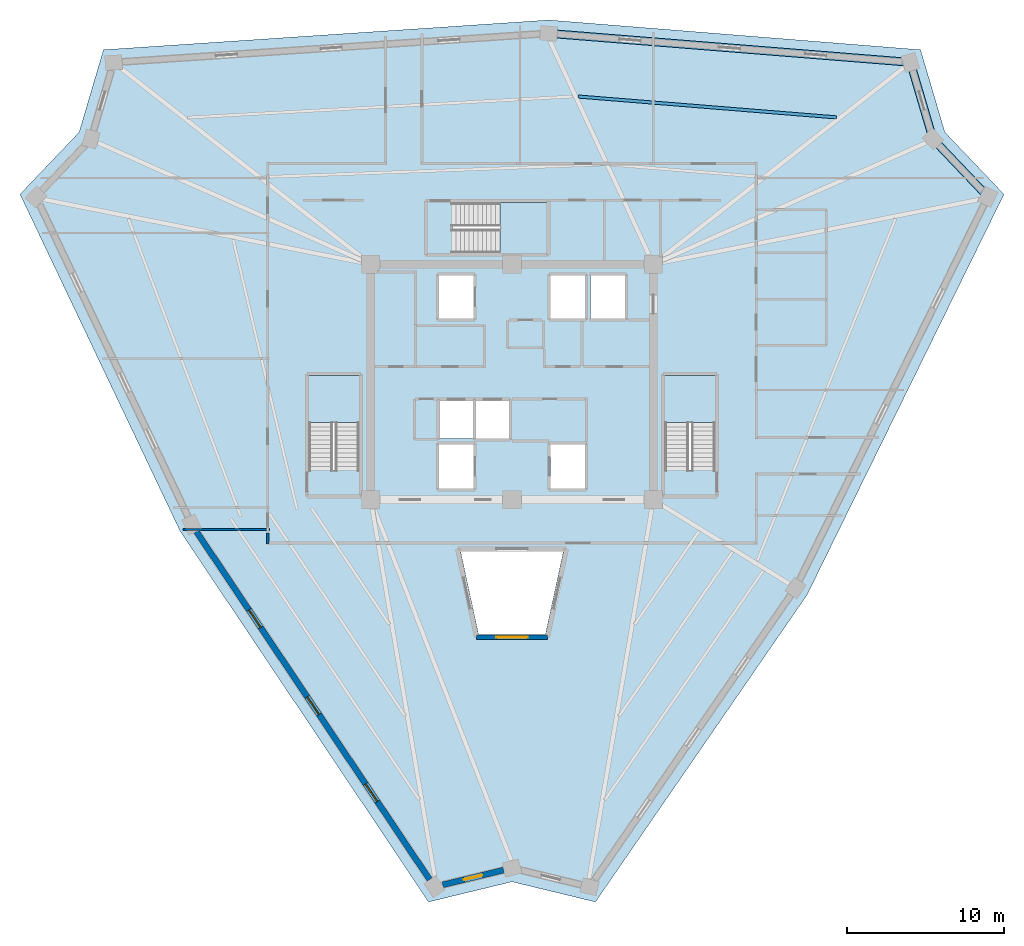
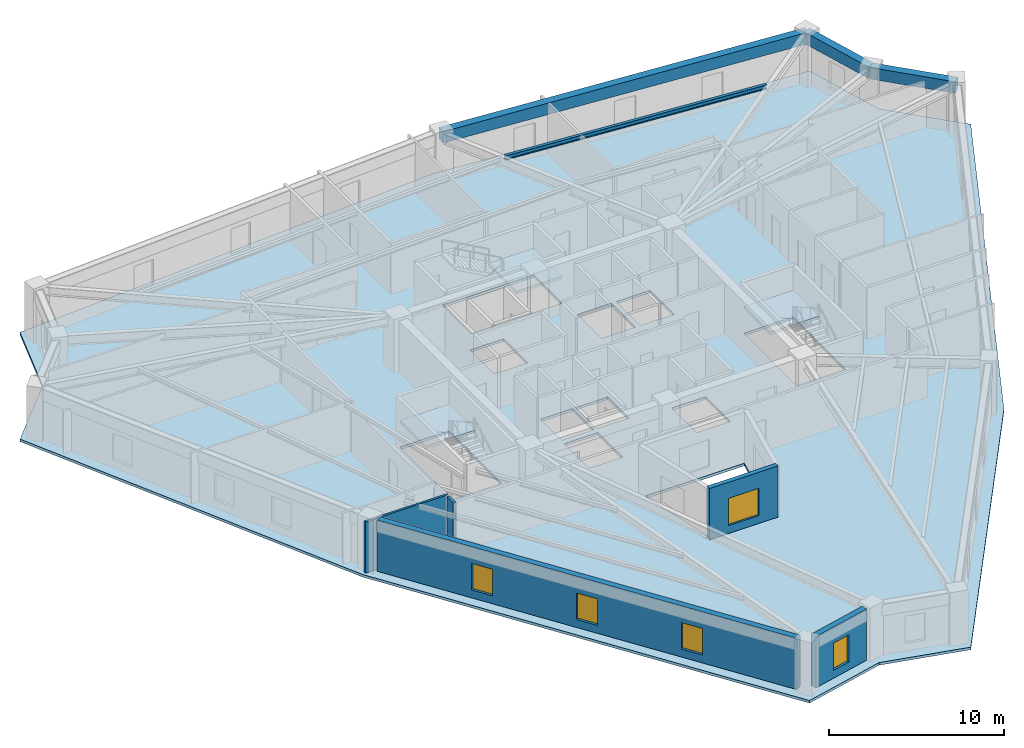
# One storey, part 2 of 8: 5 walls, 5 windows, 4 beams, 4 slabs, 5 openings, 3 elements without a shape of their own.
"""IFC4 building model written with IfcOpenShell, lengths in metres."""

from ifc_helpers import new_model, si_unit, direction, frame, frame_2d, origin, origin_2d, place, context, subcontext, project, spatial, polyline, rectangle, i_section, outline, extrude, source, transform, mapped, material, layer, layer_set, material_profile, profile_set, type_object, element, fill, aggregate, save


model = new_model("IFC4")

# Units and contexts
model_context = context("Model", 3, precision=1e-05, world=origin(), true_north=direction((0.0, 1.0)))
body_context = subcontext(model_context, "Body", "Model", "MODEL_VIEW")
ifc_project = project(units=[si_unit("LENGTHUNIT", "METRE"), si_unit("AREAUNIT", "SQUARE_METRE"), si_unit("VOLUMEUNIT", "CUBIC_METRE"), si_unit("PLANEANGLEUNIT", "RADIAN"), si_unit("MASSUNIT", "GRAM", prefix="KILO")], contexts=[model_context])

# Site, building, storey
site_placement = place(None, origin())
site = spatial("IfcSite", under=ifc_project, at=site_placement, CompositionType="ELEMENT")
building_placement = place(site_placement, origin())
building = spatial("IfcBuilding", under=site, at=building_placement, Name="Liaohun Quay Tower", CompositionType="ELEMENT")
storey_placement = place(building_placement, frame((0.0, 0.0, 305.25)))
storey = spatial("IfcBuildingStorey", under=building, at=storey_placement, Name="L79", CompositionType="ELEMENT", Elevation=305.25)

# Beams
ifc_material_1 = material(Name="Precast concrete C50", Category="concrete")
ifc_material_profile_1 = material_profile(ifc_material_1, rectangle(XDim=0.5, YDim=0.800048828125, at=origin_2d()), Name="RC500x800")
ifc_profile_set_1 = profile_set([ifc_material_profile_1], Name="Precast concrete C50")
beam_type_1 = type_object("IfcBeamType", Name="BM-SPD-Z4", PredefinedType="SPANDREL", material=ifc_profile_set_1)
shared_shape_1 = source(origin(), body_context, "Body", "SweptSolid", [
    extrude(rectangle(XDim=0.5, YDim=0.800048828125, at=origin_2d()), origin(), (0.0, 0.0, 1.0), 23.11181640625),
])
beam_1_placement = place(storey_placement, frame((62.3359375, 76.2060546875, 3.169921875), z_axis=(0.996808658259, -0.079827932585, 0.0), x_axis=(0.079827932585, 0.996808658259, 0.0)))
element("IfcBeam", 1, at=beam_1_placement, inside=storey, type_object=beam_type_1, Name="L79 Precast Spandrel Beam PC06-PC07", PredefinedType="SPANDREL", context=body_context, shape_type="MappedRepresentation", body=[
    mapped(shared_shape_1, transform((0.0, 0.0, 0.0), x_axis=(1.0, 0.0, 0.0), y_axis=(0.0, 1.0, 0.0), z_axis=(0.0, 0.0, 1.0), scale=1.0)),
])
shared_shape_2 = source(origin(), body_context, "Body", "SweptSolid", [
    extrude(rectangle(XDim=0.5, YDim=0.800048828125, at=origin_2d()), origin(), (0.0, 0.0, 1.0), 5.088623046875),
])
beam_2_placement = place(storey_placement, frame((85.3740234375, 74.361083984375, 3.169921875), z_axis=(0.282594895902, -0.959239346988, 0.0), x_axis=(0.959239346988, 0.282594895902, 0.0)))
element("IfcBeam", 2, at=beam_2_placement, inside=storey, type_object=beam_type_1, Name="L79 Precast Spandrel Beam PC07-PC08", PredefinedType="SPANDREL", context=body_context, shape_type="MappedRepresentation", body=[
    mapped(shared_shape_2, transform((0.0, 0.0, 0.0), x_axis=(1.0, 0.0, 0.0), y_axis=(0.0, 1.0, 0.0), z_axis=(0.0, 0.0, 1.0), scale=1.0)),
])
shared_shape_3 = source(origin(), body_context, "Body", "SweptSolid", [
    extrude(rectangle(XDim=0.5, YDim=0.800048828125, at=origin_2d()), origin(), (0.0, 0.0, 1.0), 5.08056640625),
])
beam_3_placement = place(storey_placement, frame((86.81201171875, 69.47998046875, 3.169921875), z_axis=(0.689275908539, -0.724498945415, 0.0), x_axis=(0.724498945415, 0.689275908539, 0.0)))
element("IfcBeam", 3, at=beam_3_placement, inside=storey, type_object=beam_type_1, Name="L79 Precast Spandrel Beam PC08-PC09", PredefinedType="SPANDREL", context=body_context, shape_type="MappedRepresentation", body=[
    mapped(shared_shape_3, transform((0.0, 0.0, 0.0), x_axis=(1.0, 0.0, 0.0), y_axis=(0.0, 1.0, 0.0), z_axis=(0.0, 0.0, 1.0), scale=1.0)),
])
ifc_material_2 = material(Name="Steel Q355D", Category="steel")
ifc_material_profile_2 = material_profile(ifc_material_2, i_section(OverallWidth=0.199951171875, OverallDepth=0.2939453125, WebThickness=0.008056640625, FlangeThickness=0.011962890625, at=origin_2d()), Name="HM294x200x8x12")
ifc_profile_set_2 = profile_set([ifc_material_profile_2], Name="Steel Q355D")
beam_type_2 = type_object("IfcBeamType", Name="BM-SEC-J4", PredefinedType="JOIST", material=ifc_profile_set_2)
shared_shape_4 = source(origin(), body_context, "Body", "SweptSolid", [
    extrude(i_section(OverallWidth=0.199951171875, OverallDepth=0.2939453125, WebThickness=0.008056640625, FlangeThickness=0.011962890625, at=origin_2d()), origin(), (0.0, 0.0, 1.0), 16.5078125),
])
beam_4_placement = place(storey_placement, frame((64.219970703125, 72.18408203125, 3.423095703125), z_axis=(0.996748723422, -0.080572838821, 0.0), x_axis=(0.080572838821, 0.996748723422, 0.0)))
element("IfcBeam", 4, at=beam_4_placement, inside=storey, type_object=beam_type_2, Name="L79 Wing Secondary Floor Joist SJ-09", PredefinedType="JOIST", context=body_context, shape_type="MappedRepresentation", body=[
    mapped(shared_shape_4, transform((0.0, 0.0, 0.0), x_axis=(1.0, 0.0, 0.0), y_axis=(0.0, 1.0, 0.0), z_axis=(0.0, 0.0, 1.0), scale=1.0)),
])

# Stair, slab
ifc_material_3 = material(Name="Concrete C45", Category="concrete")
stair_type = type_object("IfcStairType", Name="STR-CORE-OFF", PredefinedType="HALF_TURN_STAIR", material=ifc_material_3)
stair_1_placement = place(storey_placement, origin())
stair_1 = element("IfcStair", 5, at=stair_1_placement, inside=storey, type_object=stair_type, Name="L79 Smokeproof Core Exit Stair ST-1", PredefinedType="HALF_TURN_STAIR")
ifc_layer_1 = layer(ifc_material_3, 0.199951171875, Name="Concrete C45", Category="concrete")
ifc_layer_set_1 = layer_set([ifc_layer_1], Name="Concrete C45")
slab_type_1 = type_object("IfcSlabType", Name="SLB-LND-200", PredefinedType="LANDING", material=ifc_layer_set_1)
slab_1_placement = place(storey_placement, frame((0.0, 0.0, 1.675048828125)))
slab_1 = element("IfcSlab", 6, at=slab_1_placement, type_object=slab_type_1, Name="ST-1 landing 1", PredefinedType="LANDING", context=body_context, shape_type="SweptSolid", body=[
    extrude(outline(polyline([(50.280029296875, 51.429931640625), (50.280029296875, 54.419921875), (47.0400390625, 54.419921875), (47.0400390625, 51.429931640625), (50.280029296875, 51.429931640625)])), origin(), (0.0, 0.0, 1.0), 0.199951171875),
])
aggregate(stair_1, [slab_1])

stair_2_placement = place(storey_placement, origin())
stair_2 = element("IfcStair", 7, at=stair_2_placement, inside=storey, type_object=stair_type, Name="L79 Smokeproof Core Exit Stair ST-2", PredefinedType="HALF_TURN_STAIR")
slab_2_placement = place(storey_placement, frame((0.0, 0.0, 1.675048828125)))
slab_2 = element("IfcSlab", 8, at=slab_2_placement, type_object=slab_type_1, Name="ST-2 landing 1", PredefinedType="LANDING", context=body_context, shape_type="SweptSolid", body=[
    extrude(outline(polyline([(72.9599609375, 51.429931640625), (72.9599609375, 54.419921875), (69.719970703125, 54.419921875), (69.719970703125, 51.429931640625), (72.9599609375, 51.429931640625)])), origin(), (0.0, 0.0, 1.0), 0.199951171875),
])
aggregate(stair_2, [slab_2])

stair_3_placement = place(storey_placement, origin())
stair_3 = element("IfcStair", 9, at=stair_3_placement, inside=storey, type_object=stair_type, Name="L79 Smokeproof Core Exit Stair ST-3", PredefinedType="HALF_TURN_STAIR")
slab_3_placement = place(storey_placement, frame((0.0, 0.0, 1.675048828125)))
slab_3 = element("IfcSlab", 10, at=slab_3_placement, type_object=slab_type_1, Name="ST-3 landing 1", PredefinedType="LANDING", context=body_context, shape_type="SweptSolid", body=[
    extrude(outline(polyline([(59.22998046875, 62.199951171875), (62.219970703125, 62.199951171875), (62.219970703125, 65.43994140625), (59.22998046875, 65.43994140625), (59.22998046875, 62.199951171875)])), origin(), (0.0, 0.0, 1.0), 0.199951171875),
])
aggregate(stair_3, [slab_3])

# Slab
ifc_layer_2 = layer(ifc_material_3, 0.179931640625, Name="Concrete C45", Category="concrete")
ifc_layer_set_2 = layer_set([ifc_layer_2], Name="Concrete C45")
slab_type_2 = type_object("IfcSlabType", Name="SLB-OFF-180", PredefinedType="FLOOR", material=ifc_layer_set_2)
slab_4_placement = place(storey_placement, frame((0.0, 0.0, -0.179931640625)))
element("IfcSlab", 11, at=slab_4_placement, inside=storey, type_object=slab_type_2, Name="L79 Structural Floor Slab", PredefinedType="FLOOR", context=body_context, shape_type="SweptSolid", body=[
    extrude(outline(polyline([(54.68505859375, 20.882080078125), (60.0, 22.166015625), (65.31494140625, 20.882080078125), (78.797119140625, 40.443115234375), (91.337890625, 65.9560546875), (87.569091796875, 69.9169921875), (86.02392578125, 75.162109375), (62.342041015625, 77.05810546875), (33.97607421875, 75.162109375), (32.430908203125, 69.9169921875), (28.662109375, 65.9560546875), (38.861083984375, 44.5), (54.68505859375, 20.882080078125)]), holes=[polyline([(57.56005859375, 50.030029296875), (55.340087890625, 50.030029296875), (55.340087890625, 47.2099609375), (57.56005859375, 47.2099609375), (57.56005859375, 50.030029296875)]), polyline([(47.0400390625, 54.419921875), (47.0400390625, 48.409912109375), (50.280029296875, 48.409912109375), (50.280029296875, 54.419921875), (47.0400390625, 54.419921875)]), polyline([(57.510009765625, 52.81005859375), (55.389892578125, 52.81005859375), (55.389892578125, 50.389892578125), (57.510009765625, 50.389892578125), (57.510009765625, 52.81005859375)]), polyline([(59.81005859375, 50.389892578125), (59.81005859375, 52.81005859375), (57.68994140625, 52.81005859375), (57.68994140625, 50.389892578125), (59.81005859375, 50.389892578125)]), polyline([(57.56005859375, 58.0400390625), (57.56005859375, 60.7900390625), (55.340087890625, 60.7900390625), (55.340087890625, 58.0400390625), (57.56005859375, 58.0400390625)]), polyline([(62.219970703125, 65.43994140625), (56.2099609375, 65.43994140625), (56.2099609375, 62.199951171875), (62.219970703125, 62.199951171875), (62.219970703125, 65.43994140625)]), polyline([(62.1240234375, 37.909912109375), (63.26806640625, 43.199951171875), (56.73193359375, 43.199951171875), (57.8759765625, 37.909912109375), (62.1240234375, 37.909912109375)]), polyline([(64.659912109375, 47.2099609375), (64.659912109375, 50.030029296875), (62.43994140625, 50.030029296875), (62.43994140625, 47.2099609375), (64.659912109375, 47.2099609375)]), polyline([(69.719970703125, 54.419921875), (69.719970703125, 48.409912109375), (72.9599609375, 48.409912109375), (72.9599609375, 54.419921875), (69.719970703125, 54.419921875)]), polyline([(64.659912109375, 58.0400390625), (64.659912109375, 60.7900390625), (62.43994140625, 60.7900390625), (62.43994140625, 58.0400390625), (64.659912109375, 58.0400390625)]), polyline([(67.2099609375, 58.0400390625), (67.2099609375, 60.7900390625), (64.989990234375, 60.7900390625), (64.989990234375, 58.0400390625), (67.2099609375, 58.0400390625)])]), origin(), (0.0, 0.0, 1.0), 0.179931640625),
])

# Wall, opening, window
ifc_material_4 = material(Name="Concrete C50", Category="concrete")
ifc_layer_3 = layer(ifc_material_4, 0.300048828125, Name="Concrete C50", Category="concrete")
ifc_layer_set_3 = layer_set([ifc_layer_3], Name="Concrete C50")
wall_type_1 = type_object("IfcWallType", Name="WAL-ATR-300", PredefinedType="SOLIDWALL", material=ifc_layer_set_3)
wall_1_placement = place(storey_placement, frame((62.260986328125, 37.739990234375, 0.0), z_axis=(0.0, 0.0, 1.0), x_axis=(-1.0, 0.0, 0.0)))
wall_1 = element("IfcWall", 12, at=wall_1_placement, inside=storey, type_object=wall_type_1, Name="L79 Atrium Fire Compartment Wall 4", PredefinedType="SOLIDWALL", context=body_context, shape_type="SweptSolid", body=[
    extrude(rectangle(XDim=4.52197265625, YDim=0.300048828125, at=frame_2d((2.260986328125, 0.0))), origin(), (0.0, 0.0, 1.0), 3.570068359375),
])
shared_shape_5 = source(origin(), body_context, "Body", "SweptSolid", [
    extrude(rectangle(XDim=2.0, YDim=1.89990234375, at=frame_2d((1.0, 0.949951171875))), frame((0.0, 0.159912109375, 0.0), z_axis=(0.0, -1.0, 0.0), x_axis=(1.0, 0.0, 0.0)), (0.0, 0.0, 1.0), 0.320068359375),
])
opening_1_placement = place(wall_1_placement, frame((1.260986328125, 0.0, 0.550048828125)))
opening_1 = element("IfcOpeningElement", 13, at=opening_1_placement, cuts=wall_1, Name="Opening W07", PredefinedType="OPENING", context=body_context, shape_type="MappedRepresentation", body=[
    mapped(shared_shape_5, transform((0.0, 0.0, 0.0), x_axis=(1.0, 0.0, 0.0), y_axis=(0.0, 1.0, 0.0), z_axis=(0.0, 0.0, 1.0), scale=1.0)),
])
ifc_material_5 = material(Name="Class A 180-min fire-resistant insulated glazing", Category="glass")
window_type_1 = type_object("IfcWindowType", Name="WIN-ATR-FIR", PartitioningType="DOUBLE_PANEL_VERTICAL", PredefinedType="WINDOW", material=ifc_material_5)
shared_shape_6 = source(origin(), body_context, "Body", "SweptSolid", [
    extrude(rectangle(XDim=2.0, YDim=1.89990234375, at=frame_2d((1.0, 0.949951171875))), frame((0.0, 0.030029296875, 0.0), z_axis=(0.0, -1.0, 0.0), x_axis=(1.0, 0.0, 0.0)), (0.0, 0.0, 1.0), 0.06005859375),
])
window_1_placement = place(opening_1_placement, origin())
window_1 = element("IfcWindow", 14, at=window_1_placement, inside=storey, type_object=window_type_1, Name="L79 Atrium Fire-Resistant Glazing W07-4", OverallHeight=1.89990234375, OverallWidth=2.0, PartitioningType="DOUBLE_PANEL_VERTICAL", PredefinedType="WINDOW", context=body_context, shape_type="MappedRepresentation", body=[
    mapped(shared_shape_6, transform((0.0, 0.0, 0.0), x_axis=(1.0, 0.0, 0.0), y_axis=(0.0, 1.0, 0.0), z_axis=(0.0, 0.0, 1.0), scale=1.0)),
])
fill(opening_1, window_1)

# Wall, openings, windows
ifc_material_6 = material(Name="Precast concrete C50 insulated sandwich", Category="concrete")
ifc_layer_4 = layer(ifc_material_6, 0.3798828125, Name="Precast concrete C50 insulated sandwich", Category="concrete")
ifc_layer_set_4 = layer_set([ifc_layer_4], Name="Precast concrete C50 insulated sandwich")
wall_type_2 = type_object("IfcWallType", Name="WAL-EXT-Z34", PredefinedType="SOLIDWALL", material=ifc_layer_set_4)
wall_2_placement = place(storey_placement, frame((39.903076171875, 44.471923828125, 0.0), z_axis=(0.0, 0.0, 1.0), x_axis=(0.556589940211, -0.830787360554, 0.0)))
wall_2 = element("IfcWall", 15, at=wall_2_placement, inside=storey, type_object=wall_type_2, Name="L79 Brutalist Precast Pier Wall 11", PredefinedType="SOLIDWALL", context=body_context, shape_type="SweptSolid", body=[
    extrude(rectangle(XDim=26.69287109375, YDim=0.3798828125, at=frame_2d((13.346435546875, 0.0))), origin(), (0.0, 0.0, 1.0), 3.570068359375),
])
shared_shape_7 = source(origin(), body_context, "Body", "SweptSolid", [
    extrude(rectangle(XDim=1.35009765625, YDim=1.85009765625, at=frame_2d((0.675048828125, 0.925048828125))), frame((0.0, 0.199951171875, 0.0), z_axis=(0.0, -1.0, 0.0), x_axis=(1.0, 0.0, 0.0)), (0.0, 0.0, 1.0), 0.39990234375),
])
opening_2_placement = place(wall_2_placement, frame((5.998046875, 0.0, 0.550048828125)))
opening_2 = element("IfcOpeningElement", 16, at=opening_2_placement, cuts=wall_2, Name="Opening W04", PredefinedType="OPENING", context=body_context, shape_type="MappedRepresentation", body=[
    mapped(shared_shape_7, transform((0.0, 0.0, 0.0), x_axis=(1.0, 0.0, 0.0), y_axis=(0.0, 1.0, 0.0), z_axis=(0.0, 0.0, 1.0), scale=1.0)),
])
opening_3_placement = place(wall_2_placement, frame((12.6708984375, 0.0, 0.550048828125)))
opening_3 = element("IfcOpeningElement", 17, at=opening_3_placement, cuts=wall_2, Name="Opening W04", PredefinedType="OPENING", context=body_context, shape_type="MappedRepresentation", body=[
    mapped(shared_shape_7, transform((0.0, 0.0, 0.0), x_axis=(1.0, 0.0, 0.0), y_axis=(0.0, 1.0, 0.0), z_axis=(0.0, 0.0, 1.0), scale=1.0)),
])
opening_4_placement = place(wall_2_placement, frame((19.344970703125, 0.0, 0.550048828125)))
opening_4 = element("IfcOpeningElement", 18, at=opening_4_placement, cuts=wall_2, Name="Opening W04", PredefinedType="OPENING", context=body_context, shape_type="MappedRepresentation", body=[
    mapped(shared_shape_7, transform((0.0, 0.0, 0.0), x_axis=(1.0, 0.0, 0.0), y_axis=(0.0, 1.0, 0.0), z_axis=(0.0, 0.0, 1.0), scale=1.0)),
])
ifc_material_7 = material(Name="Triple Low-E argon glazing in thermally broken aluminium", Category="aluminium")
window_type_2 = type_object("IfcWindowType", Name="WIN-PUN-Z4", PartitioningType="SINGLE_PANEL", PredefinedType="WINDOW", material=ifc_material_7)
shared_shape_8 = source(origin(), body_context, "Body", "SweptSolid", [
    extrude(rectangle(XDim=1.35009765625, YDim=1.85009765625, at=frame_2d((0.675048828125, 0.925048828125))), frame((0.0, 0.030029296875, 0.0), z_axis=(0.0, -1.0, 0.0), x_axis=(1.0, 0.0, 0.0)), (0.0, 0.0, 1.0), 0.06005859375),
])
window_2_placement = place(opening_2_placement, origin())
window_2 = element("IfcWindow", 19, at=window_2_placement, inside=storey, type_object=window_type_2, Name="L79 Recessed Cold-Climate Punched Window 11-1", OverallHeight=1.85009765625, OverallWidth=1.35009765625, PartitioningType="SINGLE_PANEL", PredefinedType="WINDOW", context=body_context, shape_type="MappedRepresentation", body=[
    mapped(shared_shape_8, transform((0.0, 0.0, 0.0), x_axis=(1.0, 0.0, 0.0), y_axis=(0.0, 1.0, 0.0), z_axis=(0.0, 0.0, 1.0), scale=1.0)),
])
fill(opening_2, window_2)
window_3_placement = place(opening_3_placement, origin())
window_3 = element("IfcWindow", 20, at=window_3_placement, inside=storey, type_object=window_type_2, Name="L79 Recessed Cold-Climate Punched Window 11-2", OverallHeight=1.85009765625, OverallWidth=1.35009765625, PartitioningType="SINGLE_PANEL", PredefinedType="WINDOW", context=body_context, shape_type="MappedRepresentation", body=[
    mapped(shared_shape_8, transform((0.0, 0.0, 0.0), x_axis=(1.0, 0.0, 0.0), y_axis=(0.0, 1.0, 0.0), z_axis=(0.0, 0.0, 1.0), scale=1.0)),
])
fill(opening_3, window_3)
window_4_placement = place(opening_4_placement, origin())
window_4 = element("IfcWindow", 21, at=window_4_placement, inside=storey, type_object=window_type_2, Name="L79 Recessed Cold-Climate Punched Window 11-3", OverallHeight=1.85009765625, OverallWidth=1.35009765625, PartitioningType="SINGLE_PANEL", PredefinedType="WINDOW", context=body_context, shape_type="MappedRepresentation", body=[
    mapped(shared_shape_8, transform((0.0, 0.0, 0.0), x_axis=(1.0, 0.0, 0.0), y_axis=(0.0, 1.0, 0.0), z_axis=(0.0, 0.0, 1.0), scale=1.0)),
])
fill(opening_4, window_4)

# Wall, opening, window
wall_3_placement = place(storey_placement, frame((55.5859375, 21.97412109375, 0.0), z_axis=(0.0, 0.0, 1.0), x_axis=(0.972070688758, 0.234688252917, 0.0)))
wall_3 = element("IfcWall", 22, at=wall_3_placement, inside=storey, type_object=wall_type_2, Name="L79 Brutalist Precast Pier Wall 12", PredefinedType="SOLIDWALL", context=body_context, shape_type="SweptSolid", body=[
    extrude(rectangle(XDim=4.0009765625, YDim=0.3798828125, at=frame_2d((2.00048828125, 0.0))), origin(), (0.0, 0.0, 1.0), 3.570068359375),
])
shared_shape_9 = source(origin(), body_context, "Body", "SweptSolid", [
    extrude(rectangle(XDim=1.199951171875, YDim=1.89990234375, at=frame_2d((0.60009765625, 0.949951171875))), frame((0.0, 0.199951171875, 0.0), z_axis=(0.0, -1.0, 0.0), x_axis=(1.0, 0.0, 0.0)), (0.0, 0.0, 1.0), 0.39990234375),
])
opening_5_placement = place(wall_3_placement, frame((1.39990234375, 0.0, 0.550048828125)))
opening_5 = element("IfcOpeningElement", 23, at=opening_5_placement, cuts=wall_3, Name="Opening W05", PredefinedType="OPENING", context=body_context, shape_type="MappedRepresentation", body=[
    mapped(shared_shape_9, transform((0.0, 0.0, 0.0), x_axis=(1.0, 0.0, 0.0), y_axis=(0.0, 1.0, 0.0), z_axis=(0.0, 0.0, 1.0), scale=1.0)),
])
ifc_material_8 = material(Name="Triple Low-E corner notch glazing", Category="glass")
window_type_3 = type_object("IfcWindowType", Name="WIN-NOTCH", PartitioningType="SINGLE_PANEL", PredefinedType="WINDOW", material=ifc_material_8)
shared_shape_10 = source(origin(), body_context, "Body", "SweptSolid", [
    extrude(rectangle(XDim=1.199951171875, YDim=1.89990234375, at=frame_2d((0.60009765625, 0.949951171875))), frame((0.0, 0.030029296875, 0.0), z_axis=(0.0, -1.0, 0.0), x_axis=(1.0, 0.0, 0.0)), (0.0, 0.0, 1.0), 0.06005859375),
])
window_5_placement = place(opening_5_placement, origin())
window_5 = element("IfcWindow", 24, at=window_5_placement, inside=storey, type_object=window_type_3, Name="L79 Corner Notch Window W05-12", OverallHeight=1.89990234375, OverallWidth=1.199951171875, PartitioningType="SINGLE_PANEL", PredefinedType="WINDOW", context=body_context, shape_type="MappedRepresentation", body=[
    mapped(shared_shape_10, transform((0.0, 0.0, 0.0), x_axis=(1.0, 0.0, 0.0), y_axis=(0.0, 1.0, 0.0), z_axis=(0.0, 0.0, 1.0), scale=1.0)),
])
fill(opening_5, window_5)

# Walls
ifc_material_9 = material(Name="Autoclaved aerated concrete blockwork", Category="masonry")
ifc_layer_5 = layer(ifc_material_9, 0.179931640625, Name="Autoclaved aerated concrete blockwork", Category="masonry")
ifc_layer_set_5 = layer_set([ifc_layer_5], Name="Autoclaved aerated concrete blockwork")
wall_type_3 = type_object("IfcWallType", Name="WAL-PRT-COR", PredefinedType="PARTITIONING", material=ifc_layer_set_5)
wall_4_placement = place(storey_placement, frame((44.43994140625, 43.669921875, 0.0), z_axis=(0.0, 0.0, 1.0), x_axis=(0.0, 1.0, 0.0)))
element("IfcWall", 25, at=wall_4_placement, inside=storey, type_object=wall_type_3, Name="L79 Interior Partition Wall 046", PredefinedType="PARTITIONING", context=body_context, shape_type="SweptSolid", body=[
    extrude(rectangle(XDim=0.715087890625, YDim=0.179931640625, at=frame_2d((0.357421875, 0.0))), origin(), (0.0, 0.0, 1.0), 3.570068359375),
])
ifc_material_10 = material(Name="Gypsum board on twin steel studs", Category="steel")
ifc_layer_6 = layer(ifc_material_10, 0.139892578125, Name="Gypsum board on twin steel studs", Category="steel")
ifc_layer_set_6 = layer_set([ifc_layer_6], Name="Gypsum board on twin steel studs")
wall_type_4 = type_object("IfcWallType", Name="WAL-PRT-OFF", PredefinedType="PARTITIONING", material=ifc_layer_set_6)
wall_5_placement = place(storey_placement, frame((44.5400390625, 44.60009765625, 0.0), z_axis=(0.0, 0.0, 1.0), x_axis=(-1.0, 0.0, 0.0)))
element("IfcWall", 26, at=wall_5_placement, inside=storey, type_object=wall_type_4, Name="L79 Interior Partition Wall 049", PredefinedType="PARTITIONING", context=body_context, shape_type="SweptSolid", body=[
    extrude(rectangle(XDim=5.48095703125, YDim=0.139892578125, at=frame_2d((2.740478515625, 0.0))), origin(), (0.0, 0.0, 1.0), 3.570068359375),
])

save(model, "model.ifc")
